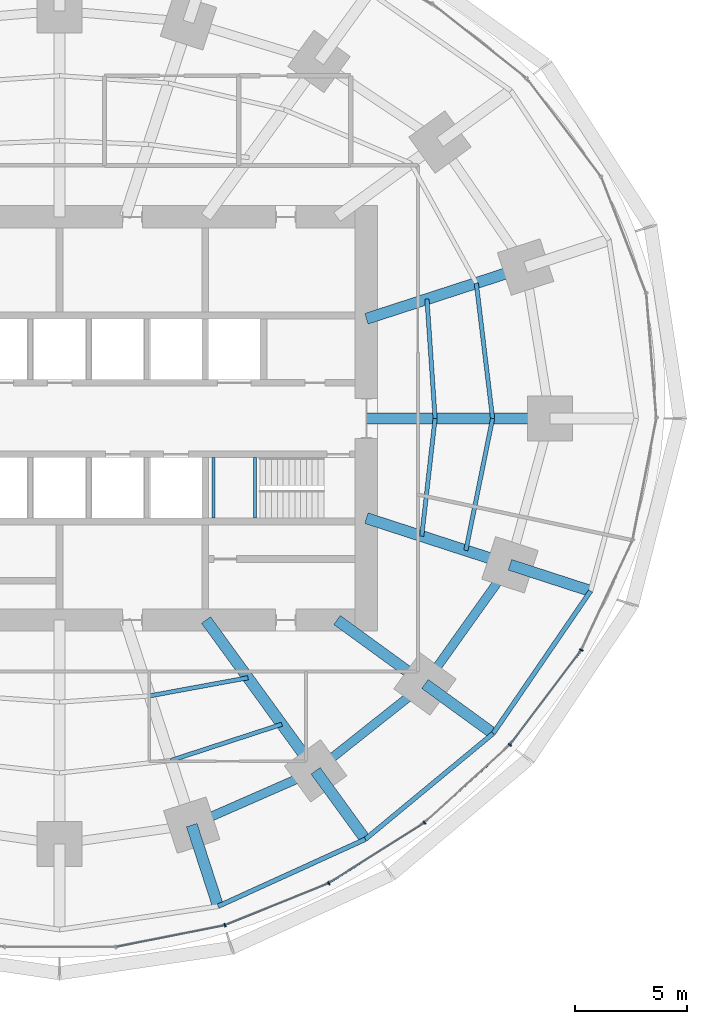
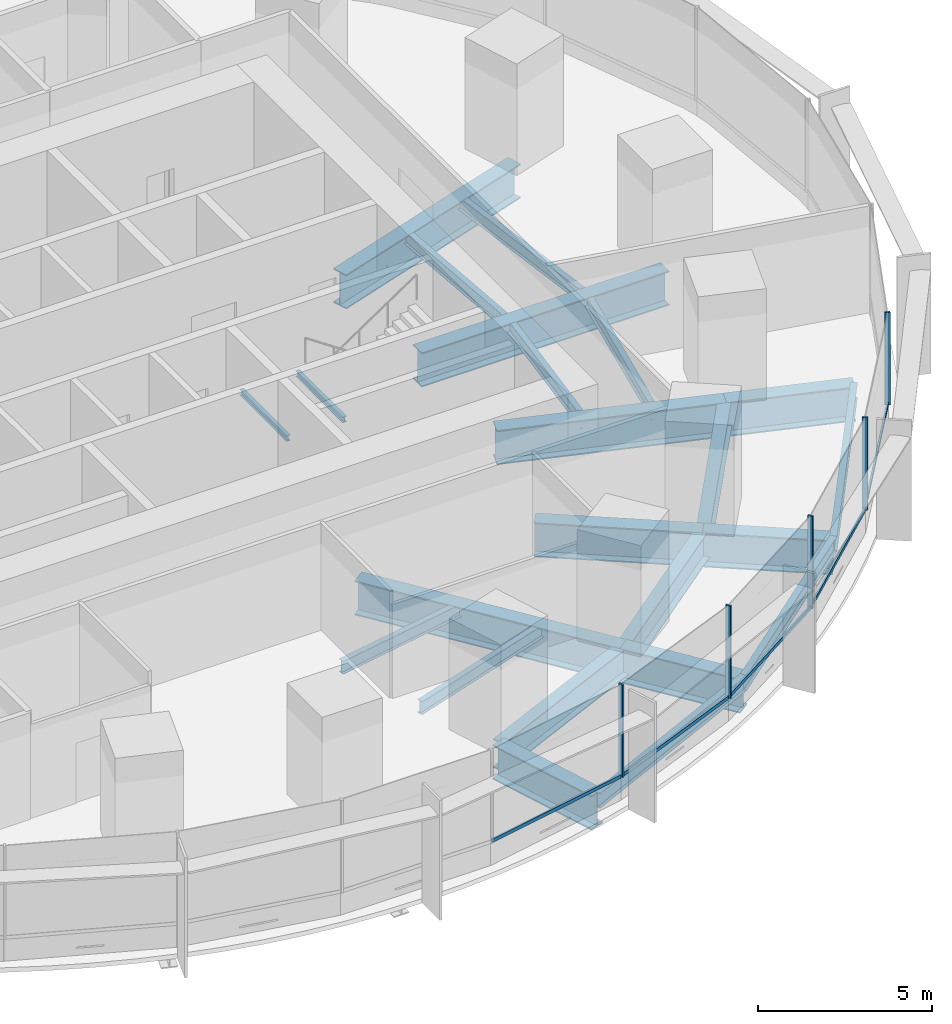
# One storey, part 5 of 15: 23 beams, 10 members, 2 elements without a shape of their own.
"""IFC4 building model written with IfcOpenShell, lengths in metres."""

import ifcopenshell
import ifcopenshell.guid

model = None  # the IFC model being written
_history = None  # IfcOwnerHistory: only IFC2X3 demands one
_inside = {}  # id of a spatial element -> (the spatial element, [elements in it])
_under = {}  # id of a project, library or spatial element -> (it, [spatial elements below it])
_declared = {}  # id of a project -> (the project, [libraries it declares])
_typed = {}  # id of a type object -> (the type object, [elements of that type])
_made_of = {}  # id of a material, layer set ... -> (it, [elements and type objects made of it])


def new_model(schema):
    """Start an empty IFC model of exactly this schema.

    Asked for "IFC4X3", IfcOpenShell would pick the latest addendum, in which some entities
    have other attributes; the version numbers below select the first issue.
    IFC2X3 requires an IfcOwnerHistory on every rooted entity: one is made here for all.
    """
    global model, _history
    if schema == "IFC4X3":
        model = ifcopenshell.file(schema_version=(4, 3, 0, 0))
    else:
        model = ifcopenshell.file(schema=schema)
    _inside.clear()
    _under.clear()
    _declared.clear()
    _typed.clear()
    _made_of.clear()
    _history = None
    if model.schema == "IFC2X3":
        org = make("IfcOrganization", Name="unknown")
        user = make(
            "IfcPersonAndOrganization",
            ThePerson=make("IfcPerson", FamilyName="unknown"),
            TheOrganization=org,
        )
        app = make(
            "IfcApplication",
            ApplicationDeveloper=org,
            Version="unknown",
            ApplicationFullName="unknown",
            ApplicationIdentifier="unknown",
        )
        _history = make(
            "IfcOwnerHistory",
            OwningUser=user,
            OwningApplication=app,
            ChangeAction="ADDED",
            CreationDate=0,
        )
    return model


def make(cls, **values):
    """One entity of the class cls with the attributes given. An attribute that is None is left unset."""
    return model.create_entity(
        cls, **{name: value for name, value in values.items() if value is not None}
    )


def rooted(cls, **values):
    """An entity with a GlobalId (a new one), such as an element, a storey or a relation."""
    return make(cls, GlobalId=ifcopenshell.guid.new(), OwnerHistory=_history, **values)


def si_unit(unit_type, name, prefix=None):
    """IfcSIUnit, for example si_unit("LENGTHUNIT", "METRE", prefix="MILLI")."""
    return make("IfcSIUnit", UnitType=unit_type, Prefix=prefix, Name=name)


def assignment(units):
    """IfcUnitAssignment: the units of a project."""
    return None if units is None else make("IfcUnitAssignment", Units=units)


def point(xyz):
    """IfcCartesianPoint."""
    return None if xyz is None else make("IfcCartesianPoint", Coordinates=xyz)


def direction(xyz):
    """IfcDirection."""
    return None if xyz is None else make("IfcDirection", DirectionRatios=xyz)


def frame(location, z_axis=None, x_axis=None):
    """IfcAxis2Placement3D, a coordinate frame: its origin and axes. An axis left out is left unset."""
    return make(
        "IfcAxis2Placement3D",
        Location=point(location),
        Axis=direction(z_axis),
        RefDirection=direction(x_axis),
    )


def frame_2d(location, x_axis=None):
    """IfcAxis2Placement2D, a coordinate frame in the plane: its origin and x axis."""
    return make(
        "IfcAxis2Placement2D", Location=point(location), RefDirection=direction(x_axis)
    )


def origin():
    """The frame at (0, 0, 0) with its axes left unset."""
    return frame((0.0, 0.0, 0.0))


def origin_2d():
    """The frame at (0, 0) in the plane with its x axis left unset."""
    return frame_2d((0.0, 0.0))


def place(relative_to, where):
    """IfcLocalPlacement: puts the frame where relative to a parent placement (None: the world)."""
    return make(
        "IfcLocalPlacement", PlacementRelTo=relative_to, RelativePlacement=where
    )


def context(
    kind, dimensions, precision=None, world=None, true_north=None, identifier=None
):
    """IfcGeometricRepresentationContext, for example the 3D "Model" context."""
    return make(
        "IfcGeometricRepresentationContext",
        ContextIdentifier=identifier,
        ContextType=kind,
        CoordinateSpaceDimension=dimensions,
        Precision=precision,
        WorldCoordinateSystem=world,
        TrueNorth=true_north,
    )


def subcontext(parent, identifier, kind, view, scale=None):
    """IfcGeometricRepresentationSubContext, for example "Body" below "Model"."""
    return make(
        "IfcGeometricRepresentationSubContext",
        ContextIdentifier=identifier,
        ContextType=kind,
        ParentContext=parent,
        TargetScale=scale,
        TargetView=view,
    )


def project(units=None, contexts=None):
    """IfcProject with its units and contexts."""
    return rooted(
        "IfcProject",
        Name="project",
        RepresentationContexts=contexts,
        UnitsInContext=assignment(units),
    )


def spatial(cls, under=None, at=None, **own):
    """A site, building, storey or space (cls), placed at a placement, below another one or the project."""
    s = rooted(cls, ObjectPlacement=at, **own)
    if under is not None:
        _under.setdefault(under.id(), (under, []))[1].append(s)
    return s


def profile(cls, at=None, kind="AREA", **sizes):
    """A parametric profile (cls). Its sizes go by their IFC names, for example OverallWidth=200.0."""
    return make(cls, ProfileType=kind, Position=at, **sizes)


def rectangle(**sizes):
    """IfcRectangleProfileDef."""
    return profile("IfcRectangleProfileDef", **sizes)


def i_section(**sizes):
    """IfcIShapeProfileDef."""
    return profile("IfcIShapeProfileDef", **sizes)


def extrude(swept, where, along, depth):
    """IfcExtrudedAreaSolid: the profile swept, set in the frame where, extruded along a direction by depth."""
    return make(
        "IfcExtrudedAreaSolid",
        SweptArea=swept,
        Position=where,
        ExtrudedDirection=direction(along),
        Depth=depth,
    )


def shape(context_of_items, identifier, shape_type, items):
    """IfcShapeRepresentation: the items that make up one representation, for example the "Body"."""
    return make(
        "IfcShapeRepresentation",
        ContextOfItems=context_of_items,
        RepresentationIdentifier=identifier,
        RepresentationType=shape_type,
        Items=items,
    )


def material(Name=None, Category=None):
    """IfcMaterial."""
    return make("IfcMaterial", Name=Name, Category=Category)


def material_profile(
    of_material, cross_section, Name=None, Category=None, Priority=None
):
    """IfcMaterialProfile: a cross section and its material."""
    return make(
        "IfcMaterialProfile",
        Name=Name,
        Material=of_material,
        Profile=cross_section,
        Priority=Priority,
        Category=Category,
    )


def profile_set(profiles, Name=None, composite=None):
    """IfcMaterialProfileSet."""
    return make(
        "IfcMaterialProfileSet",
        Name=Name,
        MaterialProfiles=profiles,
        CompositeProfile=composite,
    )


def made_of(thing, what):
    """Note that an element or type object is made of a material, layer set ...; save() writes the relation."""
    if what is not None:
        _made_of.setdefault(what.id(), (what, []))[1].append(thing)
    return thing


def type_object(cls, material=None, **own):
    """A type object (cls), such as IfcWallType, which elements share."""
    return made_of(rooted(cls, **own), material)


def element(
    cls,
    number,
    at=None,
    inside=None,
    cuts=None,
    type_object=None,
    material=None,
    context=None,
    identifier="Body",
    shape_type=None,
    held_by="IfcProductDefinitionShape",
    body=None,
    shapes=None,
    **own,
):
    """One element of the class cls, such as IfcWall. Its Tag is "e" and its number.

    at: its placement. inside: the storey or other place that contains it. cuts: it is an
    opening in that element (IfcRelVoidsElement). A single representation is given by context,
    identifier, shape_type and body (its items); several are given by shapes. held_by: the class
    of the entity that holds the representations. save() writes the other relations.
    """
    e = rooted(cls, Tag="e%d" % number, ObjectPlacement=at, **own)
    if body is not None:
        shapes = [shape(context, identifier, shape_type, body)]
    if shapes is not None:
        e.Representation = make(held_by, Representations=shapes)
    if inside is not None:
        _inside.setdefault(inside.id(), (inside, []))[1].append(e)
    if cuts is not None:
        rooted(
            "IfcRelVoidsElement", RelatingBuildingElement=cuts, RelatedOpeningElement=e
        )
    if type_object is not None:
        _typed.setdefault(type_object.id(), (type_object, []))[1].append(e)
    return made_of(e, material)


def aggregate(whole, parts):
    """IfcRelAggregates: a whole, such as a stair, and the parts it consists of."""
    return rooted("IfcRelAggregates", RelatingObject=whole, RelatedObjects=parts)


def save(model, path):
    """Write the relations noted so far, then the file.

    IfcRelAggregates (storeys below a building ...), IfcRelContainedInSpatialStructure (elements
    in a storey), IfcRelDefinesByType, IfcRelAssociatesMaterial and IfcRelDeclares: one each for
    every whole, place, type object, material and project.
    """
    for whole, parts in _under.values():
        aggregate(whole, parts)
    for where, things in _inside.values():
        rooted(
            "IfcRelContainedInSpatialStructure",
            RelatedElements=things,
            RelatingStructure=where,
        )
    for kind, things in _typed.values():
        rooted("IfcRelDefinesByType", RelatedObjects=things, RelatingType=kind)
    for what, things in _made_of.values():
        rooted("IfcRelAssociatesMaterial", RelatedObjects=things, RelatingMaterial=what)
    for by, libraries in _declared.values():
        rooted("IfcRelDeclares", RelatingContext=by, RelatedDefinitions=libraries)
    model.write(path)


model = new_model("IFC4")

# Units and contexts
model_context = context("Model", 3, precision=1e-05, world=origin(), true_north=direction((0.0, 1.0)))
body_context = subcontext(model_context, "Body", "Model", "MODEL_VIEW")
ifc_project = project(units=[si_unit("LENGTHUNIT", "METRE"), si_unit("AREAUNIT", "SQUARE_METRE"), si_unit("VOLUMEUNIT", "CUBIC_METRE"), si_unit("PLANEANGLEUNIT", "RADIAN"), si_unit("MASSUNIT", "GRAM", prefix="KILO")], contexts=[model_context])

# Site, building, storey
site_placement = place(None, origin())
site = spatial("IfcSite", under=ifc_project, at=site_placement, CompositionType="ELEMENT")
building_placement = place(site_placement, origin())
building = spatial("IfcBuilding", under=site, at=building_placement, Name="Marramba Exchange Tower", CompositionType="ELEMENT")
storey_placement = place(building_placement, frame((0.0, 0.0, 40.60009765625)))
storey = spatial("IfcBuildingStorey", under=building, at=storey_placement, Name="L09", CompositionType="ELEMENT", Elevation=40.60009765625)

# Beams
ifc_material_1 = material(Name="Steel AS/NZS 3679.2 grade 300", Category="steel")
ifc_material_profile_1 = material_profile(ifc_material_1, i_section(OverallWidth=0.5, OverallDepth=1.199951171875, WebThickness=0.01611328125, FlangeThickness=0.0400390625, at=origin_2d()), Name="1200WB455")
ifc_profile_set_1 = profile_set([ifc_material_profile_1], Name="Steel AS/NZS 3679.2 grade 300")
beam_type_1 = type_object("IfcBeamType", Name="Cantilever girder 1200WB455", PredefinedType="BEAM", material=ifc_profile_set_1)
beam_1_placement = place(storey_placement, frame((5.899658203125, -18.156982421875, -0.760009765625), z_axis=(0.309009272901, -0.951059025119, 0.0), x_axis=(0.951059025119, 0.309009272901, 0.0)))
element("IfcBeam", 1, at=beam_1_placement, inside=storey, type_object=beam_type_1, Name="Cantilever girder L09 TC17", PredefinedType="BEAM", context=body_context, shape_type="SweptSolid", body=[
    extrude(i_section(OverallWidth=0.5, OverallDepth=1.199951171875, WebThickness=0.01611328125, FlangeThickness=0.0400390625, at=origin_2d()), origin(), (0.0, 0.0, 1.0), 3.809814453125),
])
beam_2_placement = place(storey_placement, frame((11.430419921875, -15.732666015625, -0.760009765625), z_axis=(0.587787232741, -0.809015555491, 0.0), x_axis=(0.809015555491, 0.587787232741, 0.0)))
element("IfcBeam", 2, at=beam_2_placement, inside=storey, type_object=beam_type_1, Name="Cantilever girder L09 TC18", PredefinedType="BEAM", context=body_context, shape_type="SweptSolid", body=[
    extrude(i_section(OverallWidth=0.5, OverallDepth=1.199951171875, WebThickness=0.01611328125, FlangeThickness=0.0400390625, at=origin_2d()), origin(), (0.0, 0.0, 1.0), 3.7763671875),
])
beam_3_placement = place(storey_placement, frame((16.3154296875, -11.853759765625, -0.760009765625), z_axis=(0.809008346081, -0.587797155463, 0.0), x_axis=(0.587797155463, 0.809008346081, 0.0)))
element("IfcBeam", 3, at=beam_3_placement, inside=storey, type_object=beam_type_1, Name="Cantilever girder L09 TC19", PredefinedType="BEAM", context=body_context, shape_type="SweptSolid", body=[
    extrude(i_section(OverallWidth=0.5, OverallDepth=1.199951171875, WebThickness=0.01611328125, FlangeThickness=0.0400390625, at=origin_2d()), origin(), (0.0, 0.0, 1.0), 3.76025390625),
])
beam_4_placement = place(storey_placement, frame((20.109375, -6.533935546875, -0.760009765625), z_axis=(0.951048759501, -0.309040866314, 0.0), x_axis=(0.309040866314, 0.951048759501, 0.0)))
element("IfcBeam", 4, at=beam_4_placement, inside=storey, type_object=beam_type_1, Name="Cantilever girder L09 TC20", PredefinedType="BEAM", context=body_context, shape_type="SweptSolid", body=[
    extrude(i_section(OverallWidth=0.5, OverallDepth=1.199951171875, WebThickness=0.01611328125, FlangeThickness=0.0400390625, at=origin_2d()), origin(), (0.0, 0.0, 1.0), 3.78564453125),
])
ifc_material_2 = material(Name="Steel AS/NZS 3679.1 grade 300", Category="steel")
ifc_material_profile_2 = material_profile(ifc_material_2, i_section(OverallWidth=0.18994140625, OverallDepth=0.4541015625, WebThickness=0.008544921875, FlangeThickness=0.0126953125, FilletRadius=0.011474609375, at=origin_2d()), Name="460UB67.1")
ifc_profile_set_2 = profile_set([ifc_material_profile_2], Name="Steel AS/NZS 3679.1 grade 300")
beam_type_2 = type_object("IfcBeamType", Name="Floor joist 460UB67.1", PredefinedType="JOIST", material=ifc_profile_set_2)
beam_5_placement = place(storey_placement, frame((16.7666015625, 0.0, -0.38720703125), z_axis=(-0.068096259546, 0.99767875563, 0.0), x_axis=(-0.99767875563, -0.068096259546, 0.0)))
element("IfcBeam", 5, at=beam_5_placement, inside=storey, type_object=beam_type_2, Name="Joist L09 bay 01 row 1", PredefinedType="JOIST", context=body_context, shape_type="SweptSolid", body=[
    extrude(i_section(OverallWidth=0.18994140625, OverallDepth=0.4541015625, WebThickness=0.008544921875, FlangeThickness=0.0126953125, FilletRadius=0.011474609375, at=origin_2d()), origin(), (0.0, 0.0, 1.0), 5.342041015625),
])
beam_6_placement = place(storey_placement, frame((19.333251953125, 0.0, -0.38720703125), z_axis=(-0.119523078538, 0.992831422597, 0.0), x_axis=(-0.992831422597, -0.119523078538, 0.0)))
element("IfcBeam", 6, at=beam_6_placement, inside=storey, type_object=beam_type_2, Name="Joist L09 bay 01 row 2", PredefinedType="JOIST", context=body_context, shape_type="SweptSolid", body=[
    extrude(i_section(OverallWidth=0.18994140625, OverallDepth=0.4541015625, WebThickness=0.008544921875, FlangeThickness=0.0126953125, FilletRadius=0.011474609375, at=origin_2d()), origin(), (0.0, 0.0, 1.0), 6.089111328125),
])
beam_7_placement = place(storey_placement, frame((4.0244140625, -12.3857421875, -0.38720703125), z_axis=(0.983455754421, 0.181148500119, 0.0), x_axis=(-0.181148500119, 0.983455754421, 0.0)))
element("IfcBeam", 7, at=beam_7_placement, inside=storey, type_object=beam_type_2, Name="Joist L09 bay 17 row 1", PredefinedType="JOIST", context=body_context, shape_type="SweptSolid", body=[
    extrude(i_section(OverallWidth=0.18994140625, OverallDepth=0.4541015625, WebThickness=0.008544921875, FlangeThickness=0.0126953125, FilletRadius=0.011474609375, at=origin_2d()), origin(), (0.0, 0.0, 1.0), 4.4609375),
])
beam_8_placement = place(storey_placement, frame((4.9619140625, -15.271484375, -0.38720703125), z_axis=(0.950764024931, 0.309915744834, 0.0), x_axis=(-0.309915744834, 0.950764024931, 0.0)))
element("IfcBeam", 8, at=beam_8_placement, inside=storey, type_object=beam_type_2, Name="Joist L09 bay 17 row 2", PredefinedType="JOIST", context=body_context, shape_type="SweptSolid", body=[
    extrude(i_section(OverallWidth=0.18994140625, OverallDepth=0.4541015625, WebThickness=0.008544921875, FlangeThickness=0.0126953125, FilletRadius=0.011474609375, at=origin_2d()), origin(), (0.0, 0.0, 1.0), 5.2158203125),
])
beam_9_placement = place(storey_placement, frame((16.169677734375, -5.25390625, -0.38720703125), z_axis=(0.112888968594, 0.993607609054, 0.0), x_axis=(-0.993607609054, 0.112888968594, 0.0)))
element("IfcBeam", 9, at=beam_9_placement, inside=storey, type_object=beam_type_2, Name="Joist L09 bay 20 row 1", PredefinedType="JOIST", context=body_context, shape_type="SweptSolid", body=[
    extrude(i_section(OverallWidth=0.18994140625, OverallDepth=0.4541015625, WebThickness=0.008544921875, FlangeThickness=0.0126953125, FilletRadius=0.011474609375, at=origin_2d()), origin(), (0.0, 0.0, 1.0), 5.28759765625),
])
beam_10_placement = place(storey_placement, frame((18.1396484375, -5.893798828125, -0.38720703125), z_axis=(0.198489047047, 0.980103105904, 0.0), x_axis=(-0.980103105904, 0.198489047047, 0.0)))
element("IfcBeam", 10, at=beam_10_placement, inside=storey, type_object=beam_type_2, Name="Joist L09 bay 20 row 2", PredefinedType="JOIST", context=body_context, shape_type="SweptSolid", body=[
    extrude(i_section(OverallWidth=0.18994140625, OverallDepth=0.4541015625, WebThickness=0.008544921875, FlangeThickness=0.0126953125, FilletRadius=0.011474609375, at=origin_2d()), origin(), (0.0, 0.0, 1.0), 6.013427734375),
])
ifc_material_profile_3 = material_profile(ifc_material_1, i_section(OverallWidth=0.5, OverallDepth=1.199951171875, WebThickness=0.01611328125, FlangeThickness=0.0400390625, at=origin_2d()), Name="1200WB455")
ifc_profile_set_3 = profile_set([ifc_material_profile_3], Name="Steel AS/NZS 3679.2 grade 300")
beam_type_3 = type_object("IfcBeamType", Name="Radial girder 1200WB455", PredefinedType="BEAM", material=ifc_profile_set_3)
beam_11_placement = place(storey_placement, frame((13.699951171875, 0.0, -0.760009765625), z_axis=(1.0, 0.0, 0.0), x_axis=(0.0, 1.0, 0.0)))
element("IfcBeam", 11, at=beam_11_placement, inside=storey, type_object=beam_type_3, Name="Radial girder L09 TC01", PredefinedType="BEAM", context=body_context, shape_type="SweptSolid", body=[
    extrude(i_section(OverallWidth=0.5, OverallDepth=1.199951171875, WebThickness=0.01611328125, FlangeThickness=0.0400390625, at=origin_2d()), origin(), (0.0, 0.0, 1.0), 8.199951171875),
])
beam_12_placement = place(storey_placement, frame((13.699951171875, 4.451416015625, -0.760009765625), z_axis=(0.951059990189, 0.309006302624, 0.0), x_axis=(-0.309006302624, 0.951059990189, 0.0)))
element("IfcBeam", 12, at=beam_12_placement, inside=storey, type_object=beam_type_3, Name="Radial girder L09 TC02", PredefinedType="BEAM", context=body_context, shape_type="SweptSolid", body=[
    extrude(i_section(OverallWidth=0.5, OverallDepth=1.199951171875, WebThickness=0.01611328125, FlangeThickness=0.0400390625, at=origin_2d()), origin(), (0.0, 0.0, 1.0), 7.47412109375),
])
beam_13_placement = place(storey_placement, frame((6.538818359375, -9.0, -0.760009765625), z_axis=(0.587787877172, -0.809015087282, 0.0), x_axis=(0.809015087282, 0.587787877172, 0.0)))
element("IfcBeam", 13, at=beam_13_placement, inside=storey, type_object=beam_type_3, Name="Radial girder L09 TC18", PredefinedType="BEAM", context=body_context, shape_type="SweptSolid", body=[
    extrude(i_section(OverallWidth=0.5, OverallDepth=1.199951171875, WebThickness=0.01611328125, FlangeThickness=0.0400390625, at=origin_2d()), origin(), (0.0, 0.0, 1.0), 8.322021484375),
])
beam_14_placement = place(storey_placement, frame((12.387451171875, -9.0, -0.760009765625), z_axis=(0.809025189606, -0.58777397236, 0.0), x_axis=(0.58777397236, 0.809025189606, 0.0)))
element("IfcBeam", 14, at=beam_14_placement, inside=storey, type_object=beam_type_3, Name="Radial girder L09 TC19", PredefinedType="BEAM", context=body_context, shape_type="SweptSolid", body=[
    extrude(i_section(OverallWidth=0.5, OverallDepth=1.199951171875, WebThickness=0.01611328125, FlangeThickness=0.0400390625, at=origin_2d()), origin(), (0.0, 0.0, 1.0), 4.855224609375),
])
beam_15_placement = place(storey_placement, frame((13.699951171875, -4.451416015625, -0.760009765625), z_axis=(0.951057759669, -0.309013167637, 0.0), x_axis=(0.309013167637, 0.951057759669, 0.0)))
element("IfcBeam", 15, at=beam_15_placement, inside=storey, type_object=beam_type_3, Name="Radial girder L09 TC20", PredefinedType="BEAM", context=body_context, shape_type="SweptSolid", body=[
    extrude(i_section(OverallWidth=0.5, OverallDepth=1.199951171875, WebThickness=0.01611328125, FlangeThickness=0.0400390625, at=origin_2d()), origin(), (0.0, 0.0, 1.0), 6.7392578125),
])
ifc_material_profile_4 = material_profile(ifc_material_1, i_section(OverallWidth=0.39990234375, OverallDepth=1.0, WebThickness=0.01611328125, FlangeThickness=0.031982421875, at=origin_2d()), Name="1000WB322")
ifc_profile_set_4 = profile_set([ifc_material_profile_4], Name="Steel AS/NZS 3679.2 grade 300")
beam_type_4 = type_object("IfcBeamType", Name="Ring beam 1000WB322", PredefinedType="SPANDREL", material=ifc_profile_set_4)
beam_16_placement = place(storey_placement, frame((5.899658203125, -18.156982421875, -0.66015625), z_axis=(0.915876892158, 0.4014592363, 0.0), x_axis=(-0.4014592363, 0.915876892158, 0.0)))
element("IfcBeam", 16, at=beam_16_placement, inside=storey, type_object=beam_type_4, Name="Ring beam L09 TC17-TC18", PredefinedType="SPANDREL", context=body_context, shape_type="SweptSolid", body=[
    extrude(i_section(OverallWidth=0.39990234375, OverallDepth=1.0, WebThickness=0.01611328125, FlangeThickness=0.031982421875, at=origin_2d()), origin(), (0.0, 0.0, 1.0), 6.038818359375),
])
beam_17_placement = place(storey_placement, frame((11.430419921875, -15.732666015625, -0.66015625), z_axis=(0.783139438128, 0.621846138887, 0.0), x_axis=(-0.621846138887, 0.783139438128, 0.0)))
element("IfcBeam", 17, at=beam_17_placement, inside=storey, type_object=beam_type_4, Name="Ring beam L09 TC18-TC19", PredefinedType="SPANDREL", context=body_context, shape_type="SweptSolid", body=[
    extrude(i_section(OverallWidth=0.39990234375, OverallDepth=1.0, WebThickness=0.01611328125, FlangeThickness=0.031982421875, at=origin_2d()), origin(), (0.0, 0.0, 1.0), 6.23779296875),
])
beam_18_placement = place(storey_placement, frame((16.3154296875, -11.853759765625, -0.66015625), z_axis=(0.580637181111, 0.814162430914, 0.0), x_axis=(-0.814162430914, 0.580637181111, 0.0)))
element("IfcBeam", 18, at=beam_18_placement, inside=storey, type_object=beam_type_4, Name="Ring beam L09 TC19-TC20", PredefinedType="SPANDREL", context=body_context, shape_type="SweptSolid", body=[
    extrude(i_section(OverallWidth=0.39990234375, OverallDepth=1.0, WebThickness=0.01611328125, FlangeThickness=0.031982421875, at=origin_2d()), origin(), (0.0, 0.0, 1.0), 6.5341796875),
])
ifc_material_profile_5 = material_profile(ifc_material_2, i_section(OverallWidth=0.208984375, OverallDepth=0.528076171875, WebThickness=0.009521484375, FlangeThickness=0.01318359375, FilletRadius=0.013916015625, at=origin_2d()), Name="530UB82.0")
ifc_profile_set_5 = profile_set([ifc_material_profile_5], Name="Steel AS/NZS 3679.1 grade 300")
beam_type_5 = type_object("IfcBeamType", Name="Slab edge beam 530UB82.0", PredefinedType="SPANDREL", material=ifc_profile_set_5)
beam_19_placement = place(storey_placement, frame((7.076904296875, -21.7802734375, -0.424072265625), z_axis=(0.910126690081, 0.414330071324, 0.0), x_axis=(-0.414330071324, 0.910126690081, 0.0)))
element("IfcBeam", 19, at=beam_19_placement, inside=storey, type_object=beam_type_5, Name="Slab edge beam L09 TC17-TC18", PredefinedType="SPANDREL", context=body_context, shape_type="SweptSolid", body=[
    extrude(i_section(OverallWidth=0.208984375, OverallDepth=0.528076171875, WebThickness=0.009521484375, FlangeThickness=0.01318359375, FilletRadius=0.013916015625, at=origin_2d()), origin(), (0.0, 0.0, 1.0), 7.222412109375),
])
beam_20_placement = place(storey_placement, frame((13.650146484375, -18.787841796875, -0.424072265625), z_axis=(0.770353575372, 0.637616945283, 0.0), x_axis=(-0.637616945283, 0.770353575372, 0.0)))
element("IfcBeam", 20, at=beam_20_placement, inside=storey, type_object=beam_type_5, Name="Slab edge beam L09 TC18-TC19", PredefinedType="SPANDREL", context=body_context, shape_type="SweptSolid", body=[
    extrude(i_section(OverallWidth=0.208984375, OverallDepth=0.528076171875, WebThickness=0.009521484375, FlangeThickness=0.01318359375, FilletRadius=0.013916015625, at=origin_2d()), origin(), (0.0, 0.0, 1.0), 7.40869140625),
])
beam_21_placement = place(storey_placement, frame((19.357421875, -14.06396484375, -0.424072265625), z_axis=(0.564740697285, 0.82526840775, 0.0), x_axis=(-0.82526840775, 0.564740697285, 0.0)))
element("IfcBeam", 21, at=beam_21_placement, inside=storey, type_object=beam_type_5, Name="Slab edge beam L09 TC19-TC20", PredefinedType="SPANDREL", context=body_context, shape_type="SweptSolid", body=[
    extrude(i_section(OverallWidth=0.208984375, OverallDepth=0.528076171875, WebThickness=0.009521484375, FlangeThickness=0.01318359375, FilletRadius=0.013916015625, at=origin_2d()), origin(), (0.0, 0.0, 1.0), 7.706787109375),
])
ifc_material_profile_6 = material_profile(ifc_material_2, i_section(OverallWidth=0.133056640625, OverallDepth=0.202880859375, WebThickness=0.005859375, FlangeThickness=0.0078125, FilletRadius=0.0087890625, at=origin_2d()), Name="200UB25.4")
ifc_profile_set_6 = profile_set([ifc_material_profile_6], Name="Steel AS/NZS 3679.1 grade 300")
beam_type_6 = type_object("IfcBeamType", Name="Stair landing beam 200UB25.4", PredefinedType="BEAM", material=ifc_profile_set_6)
for number, where, z_axis, x_axis, name in (
    (22, (6.866455078125, -4.449951171875, 1.79833984375), (0.0, 1.0, 0.0), (-1.0, 0.0, 0.0), "Stair landing beam SLB1 ST2 L09 1"),
    (23, (8.723388671875, -4.449951171875, 1.79833984375), (0.0, 1.0, 0.0), (-1.0, 0.0, 0.0), "Stair landing beam SLB1 ST2 L09 2"),
):
    element("IfcBeam", number, at=place(storey_placement, frame(where, z_axis=z_axis, x_axis=x_axis)), inside=storey, type_object=beam_type_6, Name=name, PredefinedType="BEAM", context=body_context, shape_type="SweptSolid", body=[
        extrude(i_section(OverallWidth=0.133056640625, OverallDepth=0.202880859375, WebThickness=0.005859375, FlangeThickness=0.0078125, FilletRadius=0.0087890625, at=origin_2d()), origin(), (0.0, 0.0, 1.0), 2.699951171875),
    ])

# Curtain wall, member
ifc_material_3 = material(Name="Aluminium framing, bronze anodised", Category="aluminium")
curtain_wall_type = type_object("IfcCurtainWallType", Name="Trading floor ribbon curtain wall", PredefinedType="USERDEFINED", material=ifc_material_3)
curtain_wall_1_placement = place(storey_placement, origin())
curtain_wall_1 = element("IfcCurtainWall", 24, at=curtain_wall_1_placement, inside=storey, type_object=curtain_wall_type, Name="Curtain wall CW3 L09 F21-F25", ObjectType="RIBBON CURTAIN WALL", PredefinedType="USERDEFINED")
ifc_material_4 = material(Name="Aluminium mullion, bronze anodised", Category="aluminium")
ifc_material_profile_7 = material_profile(ifc_material_4, rectangle(XDim=0.159912109375, YDim=0.06005859375, at=origin_2d()), Name="CW3 mullion 60x160")
ifc_profile_set_7 = profile_set([ifc_material_profile_7], Name="Aluminium mullion, bronze anodised")
member_type_1 = type_object("IfcMemberType", Name="Trading floor ribbon curtain wall mullion", PredefinedType="MULLION", material=ifc_profile_set_7)
member_1_placement = place(storey_placement, frame((7.3828125, -22.625, 0.7998046875), z_axis=(0.0, 0.0, 1.0), x_axis=(-0.374218219325, 0.927340673283, 0.0)))
member_1 = element("IfcMember", 25, at=member_1_placement, type_object=member_type_1, Name="CW3 mullion 1", PredefinedType="MULLION", context=body_context, shape_type="SweptSolid", body=[
    extrude(rectangle(XDim=0.159912109375, YDim=0.06005859375, at=origin_2d()), origin(), (0.0, 0.0, 1.0), 3.239990234375),
])

# Curtain wall, members
curtain_wall_2_placement = place(storey_placement, origin())
curtain_wall_2 = element("IfcCurtainWall", 26, at=curtain_wall_2_placement, inside=storey, type_object=curtain_wall_type, Name="Curtain wall CW3 L09 F26-F30", ObjectType="RIBBON CURTAIN WALL", PredefinedType="USERDEFINED")
member_2_placement = place(storey_placement, frame((12.0146484375, -20.75, 0.7998046875), z_axis=(0.0, 0.0, 1.0), x_axis=(-0.533514646612, 0.845790826298, 0.0)))
member_2 = element("IfcMember", 27, at=member_2_placement, type_object=member_type_1, Name="CW3 mullion 1", PredefinedType="MULLION", context=body_context, shape_type="SweptSolid", body=[
    extrude(rectangle(XDim=0.159912109375, YDim=0.06005859375, at=origin_2d()), origin(), (0.0, 0.0, 1.0), 3.239990234375),
])
member_3_placement = place(storey_placement, frame((16.2900390625, -18.047119140625, 0.7998046875), z_axis=(0.0, 0.0, 1.0), x_axis=(-0.673058133441, 0.739589581463, 0.0)))
member_3 = element("IfcMember", 28, at=member_3_placement, type_object=member_type_1, Name="CW3 mullion 1", PredefinedType="MULLION", context=body_context, shape_type="SweptSolid", body=[
    extrude(rectangle(XDim=0.159912109375, YDim=0.06005859375, at=origin_2d()), origin(), (0.0, 0.0, 1.0), 3.239990234375),
])
member_4_placement = place(storey_placement, frame((20.103515625, -14.569091796875, 0.7998046875), z_axis=(0.0, 0.0, 1.0), x_axis=(-0.797710591138, 0.603040473588, 0.0)))
member_4 = element("IfcMember", 29, at=member_4_placement, type_object=member_type_1, Name="CW3 mullion 1", PredefinedType="MULLION", context=body_context, shape_type="SweptSolid", body=[
    extrude(rectangle(XDim=0.159912109375, YDim=0.06005859375, at=origin_2d()), origin(), (0.0, 0.0, 1.0), 3.239990234375),
])
member_5_placement = place(storey_placement, frame((23.2939453125, -10.33837890625, 0.7998046875), z_axis=(0.0, 0.0, 1.0), x_axis=(-0.905906758768, 0.423477206492, 0.0)))
member_5 = element("IfcMember", 30, at=member_5_placement, type_object=member_type_1, Name="CW3 mullion 1", PredefinedType="MULLION", context=body_context, shape_type="SweptSolid", body=[
    extrude(rectangle(XDim=0.159912109375, YDim=0.06005859375, at=origin_2d()), origin(), (0.0, 0.0, 1.0), 3.239990234375),
])

# Member
ifc_material_5 = material(Name="Aluminium transom, bronze anodised", Category="aluminium")
ifc_material_profile_8 = material_profile(ifc_material_5, rectangle(XDim=0.06005859375, YDim=0.1201171875, at=origin_2d()), Name="CW3 transom 60x120")
ifc_profile_set_8 = profile_set([ifc_material_profile_8], Name="Aluminium transom, bronze anodised")
member_type_2 = type_object("IfcMemberType", Name="Trading floor ribbon curtain wall transom", PredefinedType="USERDEFINED", material=ifc_profile_set_8)
member_6_placement = place(storey_placement, frame((2.539306640625, -23.58837890625, 0.829833984375), z_axis=(0.981008707181, 0.193963698758, 0.0), x_axis=(-0.193963698758, 0.981008707181, 0.0)))
member_6 = element("IfcMember", 31, at=member_6_placement, type_object=member_type_2, Name="CW3 sill transom", ObjectType="TRANSOM", PredefinedType="USERDEFINED", context=body_context, shape_type="SweptSolid", body=[
    extrude(rectangle(XDim=0.06005859375, YDim=0.1201171875, at=origin_2d()), origin(), (0.0, 0.0, 1.0), 4.908935546875),
])

member_7_placement = place(storey_placement, frame((7.41064453125, -22.61376953125, 0.829833984375), z_axis=(0.927340197166, 0.374219399176, 0.0), x_axis=(-0.374219399176, 0.927340197166, 0.0)))
member_7 = element("IfcMember", 32, at=member_7_placement, type_object=member_type_2, Name="CW3 sill transom", ObjectType="TRANSOM", PredefinedType="USERDEFINED", context=body_context, shape_type="SweptSolid", body=[
    extrude(rectangle(XDim=0.06005859375, YDim=0.1201171875, at=origin_2d()), origin(), (0.0, 0.0, 1.0), 4.937255859375),
])

aggregate(curtain_wall_1, [member_6, member_1, member_7])

member_8_placement = place(storey_placement, frame((12.0400390625, -20.734130859375, 0.829833984375), z_axis=(0.845776602594, 0.533537195053, 0.0), x_axis=(-0.533537195053, 0.845776602594, 0.0)))
member_8 = element("IfcMember", 33, at=member_8_placement, type_object=member_type_2, Name="CW3 sill transom", ObjectType="TRANSOM", PredefinedType="USERDEFINED", context=body_context, shape_type="SweptSolid", body=[
    extrude(rectangle(XDim=0.06005859375, YDim=0.1201171875, at=origin_2d()), origin(), (0.0, 0.0, 1.0), 4.998779296875),
])

member_9_placement = place(storey_placement, frame((16.312255859375, -18.02685546875, 0.829833984375), z_axis=(0.739582688456, 0.673065707741, 0.0), x_axis=(-0.673065707741, 0.739582688456, 0.0)))
member_9 = element("IfcMember", 34, at=member_9_placement, type_object=member_type_2, Name="CW3 sill transom", ObjectType="TRANSOM", PredefinedType="USERDEFINED", context=body_context, shape_type="SweptSolid", body=[
    extrude(rectangle(XDim=0.06005859375, YDim=0.1201171875, at=origin_2d()), origin(), (0.0, 0.0, 1.0), 5.101806640625),
])

member_10_placement = place(storey_placement, frame((20.12158203125, -14.545166015625, 0.829833984375), z_axis=(0.603037409419, 0.797712907531, 0.0), x_axis=(-0.797712907531, 0.603037409419, 0.0)))
member_10 = element("IfcMember", 35, at=member_10_placement, type_object=member_type_2, Name="CW3 sill transom", ObjectType="TRANSOM", PredefinedType="USERDEFINED", context=body_context, shape_type="SweptSolid", body=[
    extrude(rectangle(XDim=0.06005859375, YDim=0.1201171875, at=origin_2d()), origin(), (0.0, 0.0, 1.0), 5.239501953125),
])

aggregate(curtain_wall_2, [member_2, member_8, member_3, member_9, member_4, member_10, member_5])

save(model, "model.ifc")
